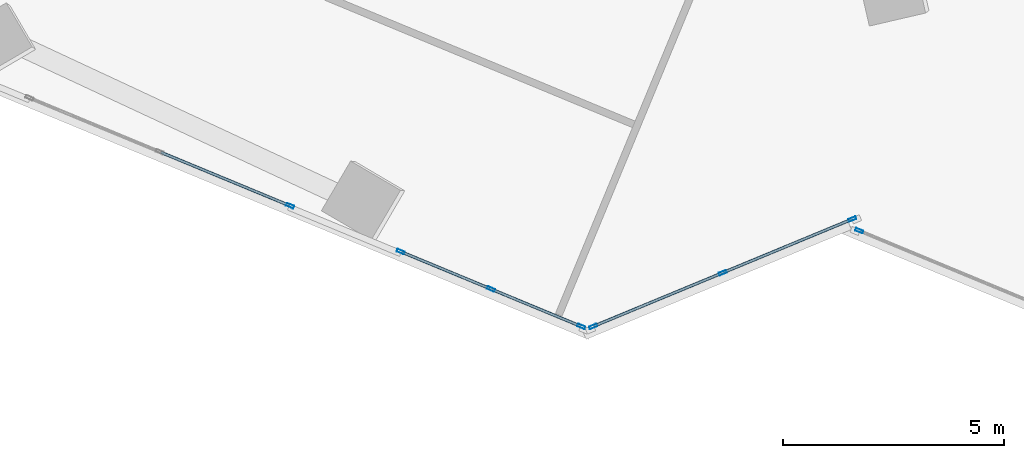
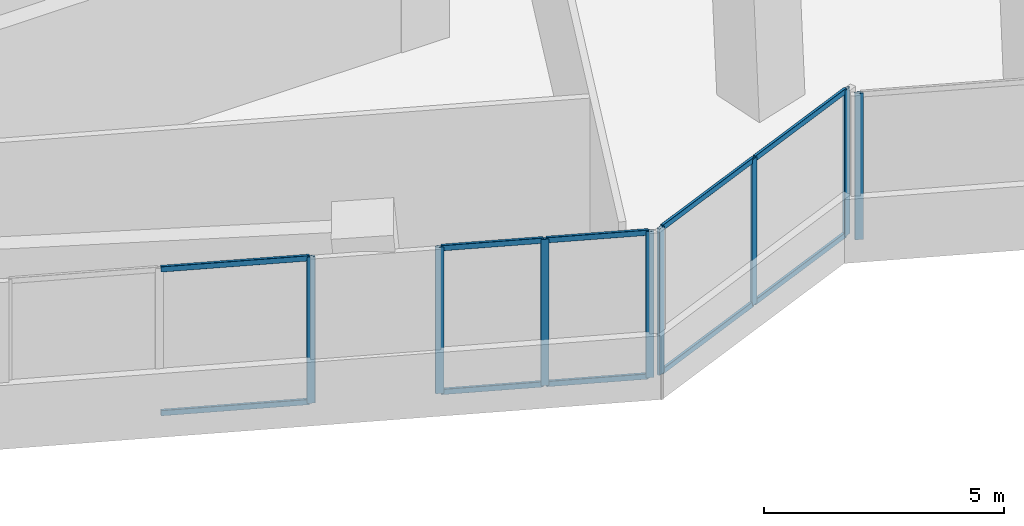
# One storey, part 4 of 22: 18 members, 4 elements without a shape of their own.
"""IFC4 building model written with IfcOpenShell, lengths in metres."""

from ifc_helpers import new_model, si_unit, direction, frame, origin, origin_2d, place, context, subcontext, project, spatial, hollow_rectangle, extrude, source, transform, mapped, material, material_profile, profile_set, type_object, element, aggregate, save


model = new_model("IFC4")

# Units and contexts
model_context = context("Model", 3, precision=1e-05, world=origin(), true_north=direction((0.0, 1.0)))
body_context = subcontext(model_context, "Body", "Model", "MODEL_VIEW")
ifc_project = project(units=[si_unit("LENGTHUNIT", "METRE"), si_unit("AREAUNIT", "SQUARE_METRE"), si_unit("VOLUMEUNIT", "CUBIC_METRE"), si_unit("PLANEANGLEUNIT", "RADIAN"), si_unit("MASSUNIT", "GRAM", prefix="KILO")], contexts=[model_context])

# Site, building, storey
site_placement = place(None, origin())
site = spatial("IfcSite", under=ifc_project, at=site_placement, CompositionType="ELEMENT")
building_placement = place(site_placement, origin())
building = spatial("IfcBuilding", under=site, at=building_placement, Name="Torre Montelarca", CompositionType="ELEMENT")
storey_placement = place(building_placement, frame((0.0, 0.0, 149.800048828125)))
storey = spatial("IfcBuildingStorey", under=building, at=storey_placement, Name="L33", CompositionType="ELEMENT", Elevation=149.800048828125)

# Curtain wall, members
ifc_material_1 = material(Name="Insulated low-E laminated glass", Category="glass")
curtain_wall_type = type_object("IfcCurtainWallType", Name="CW-SYS-Z2", PredefinedType="USERDEFINED", material=ifc_material_1)
curtain_wall_1_placement = place(storey_placement, origin())
curtain_wall_1 = element("IfcCurtainWall", 1, at=curtain_wall_1_placement, inside=storey, type_object=curtain_wall_type, Name="L33 Curtain Wall Run CW-T3-L33-E02-B1", ObjectType="UNITISED GLAZING", PredefinedType="USERDEFINED")
ifc_material_2 = material(Name="Anodised aluminium AA 6063-T6", Category="aluminium")
ifc_material_profile_1 = material_profile(ifc_material_2, hollow_rectangle(XDim=0.06494140625, YDim=0.139892578125, WallThickness=0.00390625, InnerFilletRadius=0.00390625, OuterFilletRadius=0.008056640625, at=origin_2d()), Name="ALU65X140X4", Category="aluminium")
ifc_profile_set_1 = profile_set([ifc_material_profile_1], Name="Anodised aluminium AA 6063-T6")
member_type_1 = type_object("IfcMemberType", Name="CWT-ALU140", PredefinedType="USERDEFINED", material=ifc_profile_set_1)
shared_shape_1 = source(origin(), body_context, "Body", "SweptSolid", [
    extrude(hollow_rectangle(XDim=0.06494140625, YDim=0.139892578125, WallThickness=0.00390625, InnerFilletRadius=0.00390625, OuterFilletRadius=0.008056640625, at=origin_2d()), origin(), (0.0, 0.0, 1.0), 3.102294921875),
])
member_1_placement = place(storey_placement, frame((24.76904296875, 11.22265625, 0.032470703125), z_axis=(0.923875838222, 0.382692351046, 0.0), x_axis=(-0.382692351046, 0.923875838222, 0.0)))
member_1 = element("IfcMember", 2, at=member_1_placement, type_object=member_type_1, Name="CW transom 1.1", ObjectType="TRANSOM", PredefinedType="USERDEFINED", context=body_context, shape_type="MappedRepresentation", body=[
    mapped(shared_shape_1, transform((0.0, 0.0, 0.0), scale=1.0)),
])
member_2_placement = place(storey_placement, frame((24.76904296875, 11.22265625, 3.6875), z_axis=(0.923875838222, 0.382692351046, 0.0), x_axis=(-0.382692351046, 0.923875838222, 0.0)))
member_2 = element("IfcMember", 3, at=member_2_placement, type_object=member_type_1, Name="CW transom 1.2", ObjectType="TRANSOM", PredefinedType="USERDEFINED", context=body_context, shape_type="MappedRepresentation", body=[
    mapped(shared_shape_1, transform((0.0, 0.0, 0.0), scale=1.0)),
])
shared_shape_2 = source(origin(), body_context, "Body", "SweptSolid", [
    extrude(hollow_rectangle(XDim=0.06494140625, YDim=0.139892578125, WallThickness=0.00390625, InnerFilletRadius=0.00390625, OuterFilletRadius=0.008056640625, at=origin_2d()), origin(), (0.0, 0.0, 1.0), 3.1025390625),
])
member_3_placement = place(storey_placement, frame((27.6953125, 12.4345703125, 0.032470703125), z_axis=(0.923887362076, 0.382664529578, 0.0), x_axis=(-0.382664529578, 0.923887362076, 0.0)))
member_3 = element("IfcMember", 4, at=member_3_placement, type_object=member_type_1, Name="CW transom 2.1", ObjectType="TRANSOM", PredefinedType="USERDEFINED", context=body_context, shape_type="MappedRepresentation", body=[
    mapped(shared_shape_2, transform((0.0, 0.0, 0.0), scale=1.0)),
])
member_4_placement = place(storey_placement, frame((27.6953125, 12.4345703125, 3.6875), z_axis=(0.923887362076, 0.382664529578, 0.0), x_axis=(-0.382664529578, 0.923887362076, 0.0)))
member_4 = element("IfcMember", 5, at=member_4_placement, type_object=member_type_1, Name="CW transom 2.2", ObjectType="TRANSOM", PredefinedType="USERDEFINED", context=body_context, shape_type="MappedRepresentation", body=[
    mapped(shared_shape_2, transform((0.0, 0.0, 0.0), scale=1.0)),
])

# Curtain wall, member
curtain_wall_2_placement = place(storey_placement, origin())
curtain_wall_2 = element("IfcCurtainWall", 6, at=curtain_wall_2_placement, inside=storey, type_object=curtain_wall_type, Name="L33 Curtain Wall Run CW-T3-L33-E01-B2", ObjectType="UNITISED GLAZING", PredefinedType="USERDEFINED")
ifc_material_profile_2 = material_profile(ifc_material_2, hollow_rectangle(XDim=0.06494140625, YDim=0.179931640625, WallThickness=0.00390625, InnerFilletRadius=0.00390625, OuterFilletRadius=0.008056640625, at=origin_2d()), Name="ALU65X180X4", Category="aluminium")
ifc_profile_set_2 = profile_set([ifc_material_profile_2], Name="Anodised aluminium AA 6063-T6")
member_type_2 = type_object("IfcMemberType", Name="CWM-ALU180", PredefinedType="MULLION", material=ifc_profile_set_2)
shared_shape_3 = source(origin(), body_context, "Body", "SweptSolid", [
    extrude(hollow_rectangle(XDim=0.06494140625, YDim=0.179931640625, WallThickness=0.00390625, InnerFilletRadius=0.00390625, OuterFilletRadius=0.008056640625, at=origin_2d()), origin(), (0.0, 0.0, 1.0), 3.719970703125),
])
member_5_placement = place(storey_placement, frame((17.894287109375, 13.9345703125, 0.0), z_axis=(0.0, 0.0, 1.0), x_axis=(0.382687643434, 0.923877788218, 0.0)))
member_5 = element("IfcMember", 7, at=member_5_placement, type_object=member_type_2, Name="CW mullion 3", PredefinedType="MULLION", context=body_context, shape_type="MappedRepresentation", body=[
    mapped(shared_shape_3, transform((0.0, 0.0, 0.0), scale=1.0)),
])

# Curtain wall, members
curtain_wall_3_placement = place(storey_placement, origin())
curtain_wall_3 = element("IfcCurtainWall", 8, at=curtain_wall_3_placement, inside=storey, type_object=curtain_wall_type, Name="L33 Curtain Wall Run CW-T3-L33-E01-B3", ObjectType="UNITISED GLAZING", PredefinedType="USERDEFINED")
member_6_placement = place(storey_placement, frame((20.392333984375, 12.89990234375, 0.0), z_axis=(0.0, 0.0, 1.0), x_axis=(0.382676375878, 0.923882455373, 0.0)))
member_6 = element("IfcMember", 9, at=member_6_placement, type_object=member_type_2, Name="CW mullion 1", PredefinedType="MULLION", context=body_context, shape_type="MappedRepresentation", body=[
    mapped(shared_shape_3, transform((0.0, 0.0, 0.0), scale=1.0)),
])
member_7_placement = place(storey_placement, frame((22.43212890625, 12.054931640625, 0.0), z_axis=(0.0, 0.0, 1.0), x_axis=(0.382676375878, 0.923882455373, 0.0)))
member_7 = element("IfcMember", 10, at=member_7_placement, type_object=member_type_2, Name="CW mullion 2", PredefinedType="MULLION", context=body_context, shape_type="MappedRepresentation", body=[
    mapped(shared_shape_3, transform((0.0, 0.0, 0.0), scale=1.0)),
])
member_8_placement = place(storey_placement, frame((24.471923828125, 11.210205078125, 0.0), z_axis=(0.0, 0.0, 1.0), x_axis=(0.382676375878, 0.923882455373, 0.0)))
member_8 = element("IfcMember", 11, at=member_8_placement, type_object=member_type_2, Name="CW mullion 3", PredefinedType="MULLION", context=body_context, shape_type="MappedRepresentation", body=[
    mapped(shared_shape_3, transform((0.0, 0.0, 0.0), scale=1.0)),
])

# Member
member_9_placement = place(storey_placement, frame((24.739013671875, 11.210205078125, 0.0), z_axis=(0.0, 0.0, 1.0), x_axis=(-0.382669645783, 0.92388524298, 0.0)))
member_9 = element("IfcMember", 12, at=member_9_placement, type_object=member_type_2, Name="CW mullion 1", PredefinedType="MULLION", context=body_context, shape_type="MappedRepresentation", body=[
    mapped(shared_shape_3, transform((0.0, 0.0, 0.0), scale=1.0)),
])

member_10_placement = place(storey_placement, frame((27.665283203125, 12.42236328125, 0.0), z_axis=(0.0, 0.0, 1.0), x_axis=(-0.382669645783, 0.92388524298, 0.0)))
member_10 = element("IfcMember", 13, at=member_10_placement, type_object=member_type_2, Name="CW mullion 2", PredefinedType="MULLION", context=body_context, shape_type="MappedRepresentation", body=[
    mapped(shared_shape_3, transform((0.0, 0.0, 0.0), scale=1.0)),
])

member_11_placement = place(storey_placement, frame((30.591796875, 13.63427734375, 0.0), z_axis=(0.0, 0.0, 1.0), x_axis=(-0.382669645783, 0.92388524298, 0.0)))
member_11 = element("IfcMember", 14, at=member_11_placement, type_object=member_type_2, Name="CW mullion 3", PredefinedType="MULLION", context=body_context, shape_type="MappedRepresentation", body=[
    mapped(shared_shape_3, transform((0.0, 0.0, 0.0), scale=1.0)),
])

aggregate(curtain_wall_1, [member_9, member_10, member_11, member_1, member_2, member_3, member_4])

# Curtain wall, member
curtain_wall_4_placement = place(storey_placement, origin())
curtain_wall_4 = element("IfcCurtainWall", 15, at=curtain_wall_4_placement, inside=storey, type_object=curtain_wall_type, Name="L33 Curtain Wall Run CW-T3-L33-E04-B1", ObjectType="UNITISED GLAZING", PredefinedType="USERDEFINED")
member_12_placement = place(storey_placement, frame((30.750244140625, 13.3720703125, 0.0), z_axis=(0.0, 0.0, 1.0), x_axis=(0.382671218228, 0.923884591678, 0.0)))
member_12 = element("IfcMember", 16, at=member_12_placement, type_object=member_type_2, Name="CW mullion 1", PredefinedType="MULLION", context=body_context, shape_type="MappedRepresentation", body=[
    mapped(shared_shape_3, transform((0.0, 0.0, 0.0), scale=1.0)),
])
aggregate(curtain_wall_4, [member_12])

# Member
shared_shape_4 = source(origin(), body_context, "Body", "SweptSolid", [
    extrude(hollow_rectangle(XDim=0.06494140625, YDim=0.139892578125, WallThickness=0.00390625, InnerFilletRadius=0.00390625, OuterFilletRadius=0.008056640625, at=origin_2d()), origin(), (0.0, 0.0, 1.0), 3.11962890625),
])
member_13_placement = place(storey_placement, frame((14.982177734375, 15.140869140625, 0.032470703125), z_axis=(0.923873752348, -0.382697386614, 0.0), x_axis=(0.382697386614, 0.923873752348, 0.0)))
member_13 = element("IfcMember", 17, at=member_13_placement, type_object=member_type_1, Name="CW transom 2.1", ObjectType="TRANSOM", PredefinedType="USERDEFINED", context=body_context, shape_type="MappedRepresentation", body=[
    mapped(shared_shape_4, transform((0.0, 0.0, 0.0), scale=1.0)),
])

member_14_placement = place(storey_placement, frame((14.982177734375, 15.140869140625, 3.6875), z_axis=(0.923873752348, -0.382697386614, 0.0), x_axis=(0.382697386614, 0.923873752348, 0.0)))
member_14 = element("IfcMember", 18, at=member_14_placement, type_object=member_type_1, Name="CW transom 2.2", ObjectType="TRANSOM", PredefinedType="USERDEFINED", context=body_context, shape_type="MappedRepresentation", body=[
    mapped(shared_shape_4, transform((0.0, 0.0, 0.0), scale=1.0)),
])

aggregate(curtain_wall_2, [member_5, member_13, member_14])

shared_shape_5 = source(origin(), body_context, "Body", "SweptSolid", [
    extrude(hollow_rectangle(XDim=0.06494140625, YDim=0.139892578125, WallThickness=0.00390625, InnerFilletRadius=0.00390625, OuterFilletRadius=0.008056640625, at=origin_2d()), origin(), (0.0, 0.0, 1.0), 2.142822265625),
])
member_15_placement = place(storey_placement, frame((20.42236328125, 12.887451171875, 0.032470703125), z_axis=(0.923873803533, -0.382697263049, 0.0), x_axis=(0.382697263049, 0.923873803533, 0.0)))
member_15 = element("IfcMember", 19, at=member_15_placement, type_object=member_type_1, Name="CW transom 1.1", ObjectType="TRANSOM", PredefinedType="USERDEFINED", context=body_context, shape_type="MappedRepresentation", body=[
    mapped(shared_shape_5, transform((0.0, 0.0, 0.0), scale=1.0)),
])

member_16_placement = place(storey_placement, frame((20.42236328125, 12.887451171875, 3.6875), z_axis=(0.923873803533, -0.382697263049, 0.0), x_axis=(0.382697263049, 0.923873803533, 0.0)))
member_16 = element("IfcMember", 20, at=member_16_placement, type_object=member_type_1, Name="CW transom 1.2", ObjectType="TRANSOM", PredefinedType="USERDEFINED", context=body_context, shape_type="MappedRepresentation", body=[
    mapped(shared_shape_5, transform((0.0, 0.0, 0.0), scale=1.0)),
])

member_17_placement = place(storey_placement, frame((22.462158203125, 12.04248046875, 0.032470703125), z_axis=(0.923914082387, -0.382600010933, 0.0), x_axis=(0.382600010933, 0.923914082387, 0.0)))
member_17 = element("IfcMember", 21, at=member_17_placement, type_object=member_type_1, Name="CW transom 2.1", ObjectType="TRANSOM", PredefinedType="USERDEFINED", context=body_context, shape_type="MappedRepresentation", body=[
    mapped(shared_shape_5, transform((0.0, 0.0, 0.0), scale=1.0)),
])

member_18_placement = place(storey_placement, frame((22.462158203125, 12.04248046875, 3.6875), z_axis=(0.923914082387, -0.382600010933, 0.0), x_axis=(0.382600010933, 0.923914082387, 0.0)))
member_18 = element("IfcMember", 22, at=member_18_placement, type_object=member_type_1, Name="CW transom 2.2", ObjectType="TRANSOM", PredefinedType="USERDEFINED", context=body_context, shape_type="MappedRepresentation", body=[
    mapped(shared_shape_5, transform((0.0, 0.0, 0.0), scale=1.0)),
])

aggregate(curtain_wall_3, [member_6, member_7, member_8, member_15, member_16, member_17, member_18])

save(model, "model.ifc")
